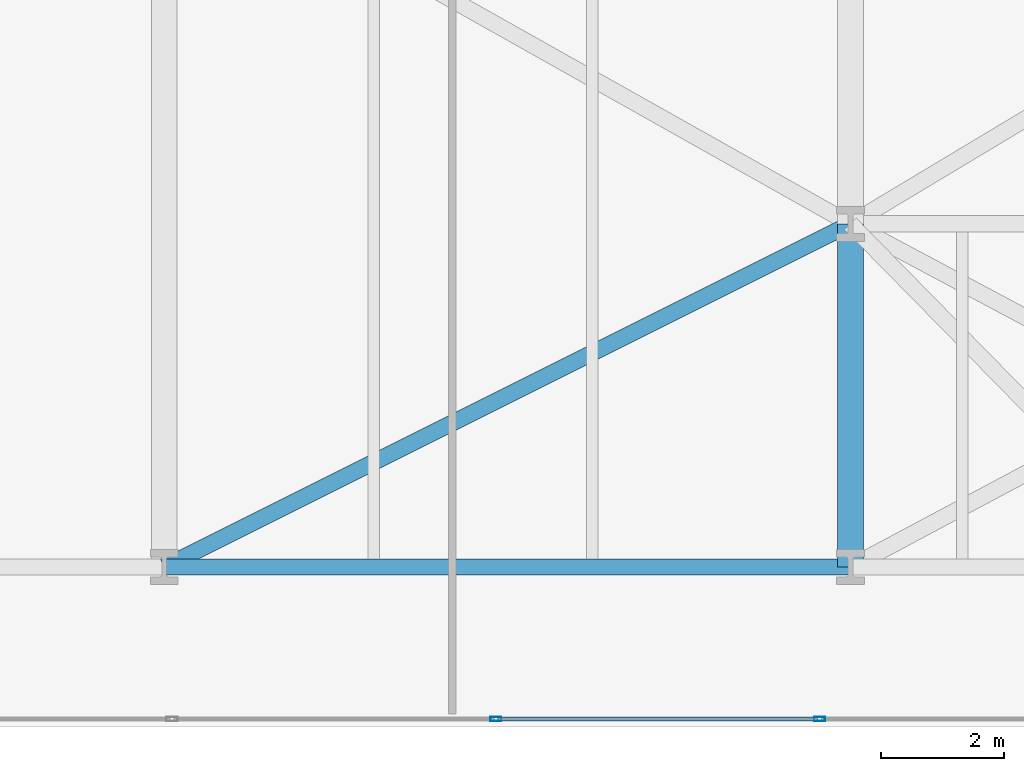
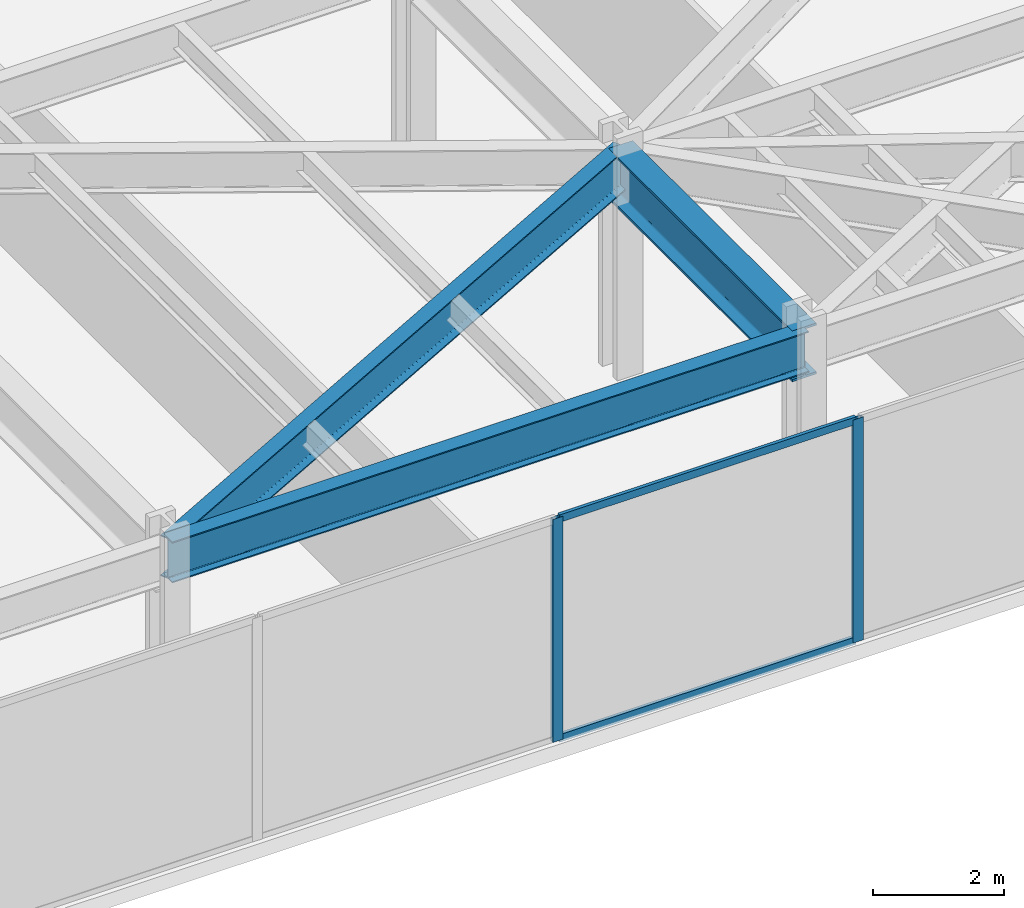
# One storey, part 16 of 30: 4 members, 3 beams, 1 element without a shape of its own.
"""IFC4 building model written with IfcOpenShell, lengths in metres."""

import ifcopenshell
import ifcopenshell.guid

model = None  # the IFC model being written
_history = None  # IfcOwnerHistory: only IFC2X3 demands one
_inside = {}  # id of a spatial element -> (the spatial element, [elements in it])
_under = {}  # id of a project, library or spatial element -> (it, [spatial elements below it])
_declared = {}  # id of a project -> (the project, [libraries it declares])
_typed = {}  # id of a type object -> (the type object, [elements of that type])
_made_of = {}  # id of a material, layer set ... -> (it, [elements and type objects made of it])


def new_model(schema):
    """Start an empty IFC model of exactly this schema.

    Asked for "IFC4X3", IfcOpenShell would pick the latest addendum, in which some entities
    have other attributes; the version numbers below select the first issue.
    IFC2X3 requires an IfcOwnerHistory on every rooted entity: one is made here for all.
    """
    global model, _history
    if schema == "IFC4X3":
        model = ifcopenshell.file(schema_version=(4, 3, 0, 0))
    else:
        model = ifcopenshell.file(schema=schema)
    _inside.clear()
    _under.clear()
    _declared.clear()
    _typed.clear()
    _made_of.clear()
    _history = None
    if model.schema == "IFC2X3":
        org = make("IfcOrganization", Name="unknown")
        user = make(
            "IfcPersonAndOrganization",
            ThePerson=make("IfcPerson", FamilyName="unknown"),
            TheOrganization=org,
        )
        app = make(
            "IfcApplication",
            ApplicationDeveloper=org,
            Version="unknown",
            ApplicationFullName="unknown",
            ApplicationIdentifier="unknown",
        )
        _history = make(
            "IfcOwnerHistory",
            OwningUser=user,
            OwningApplication=app,
            ChangeAction="ADDED",
            CreationDate=0,
        )
    return model


def make(cls, **values):
    """One entity of the class cls with the attributes given. An attribute that is None is left unset."""
    return model.create_entity(
        cls, **{name: value for name, value in values.items() if value is not None}
    )


def rooted(cls, **values):
    """An entity with a GlobalId (a new one), such as an element, a storey or a relation."""
    return make(cls, GlobalId=ifcopenshell.guid.new(), OwnerHistory=_history, **values)


def si_unit(unit_type, name, prefix=None):
    """IfcSIUnit, for example si_unit("LENGTHUNIT", "METRE", prefix="MILLI")."""
    return make("IfcSIUnit", UnitType=unit_type, Prefix=prefix, Name=name)


def assignment(units):
    """IfcUnitAssignment: the units of a project."""
    return None if units is None else make("IfcUnitAssignment", Units=units)


def point(xyz):
    """IfcCartesianPoint."""
    return None if xyz is None else make("IfcCartesianPoint", Coordinates=xyz)


def direction(xyz):
    """IfcDirection."""
    return None if xyz is None else make("IfcDirection", DirectionRatios=xyz)


def frame(location, z_axis=None, x_axis=None):
    """IfcAxis2Placement3D, a coordinate frame: its origin and axes. An axis left out is left unset."""
    return make(
        "IfcAxis2Placement3D",
        Location=point(location),
        Axis=direction(z_axis),
        RefDirection=direction(x_axis),
    )


def frame_2d(location, x_axis=None):
    """IfcAxis2Placement2D, a coordinate frame in the plane: its origin and x axis."""
    return make(
        "IfcAxis2Placement2D", Location=point(location), RefDirection=direction(x_axis)
    )


def origin():
    """The frame at (0, 0, 0) with its axes left unset."""
    return frame((0.0, 0.0, 0.0))


def origin_2d():
    """The frame at (0, 0) in the plane with its x axis left unset."""
    return frame_2d((0.0, 0.0))


def place(relative_to, where):
    """IfcLocalPlacement: puts the frame where relative to a parent placement (None: the world)."""
    return make(
        "IfcLocalPlacement", PlacementRelTo=relative_to, RelativePlacement=where
    )


def context(
    kind, dimensions, precision=None, world=None, true_north=None, identifier=None
):
    """IfcGeometricRepresentationContext, for example the 3D "Model" context."""
    return make(
        "IfcGeometricRepresentationContext",
        ContextIdentifier=identifier,
        ContextType=kind,
        CoordinateSpaceDimension=dimensions,
        Precision=precision,
        WorldCoordinateSystem=world,
        TrueNorth=true_north,
    )


def subcontext(parent, identifier, kind, view, scale=None):
    """IfcGeometricRepresentationSubContext, for example "Body" below "Model"."""
    return make(
        "IfcGeometricRepresentationSubContext",
        ContextIdentifier=identifier,
        ContextType=kind,
        ParentContext=parent,
        TargetScale=scale,
        TargetView=view,
    )


def project(units=None, contexts=None):
    """IfcProject with its units and contexts."""
    return rooted(
        "IfcProject",
        Name="project",
        RepresentationContexts=contexts,
        UnitsInContext=assignment(units),
    )


def spatial(cls, under=None, at=None, **own):
    """A site, building, storey or space (cls), placed at a placement, below another one or the project."""
    s = rooted(cls, ObjectPlacement=at, **own)
    if under is not None:
        _under.setdefault(under.id(), (under, []))[1].append(s)
    return s


def profile(cls, at=None, kind="AREA", **sizes):
    """A parametric profile (cls). Its sizes go by their IFC names, for example OverallWidth=200.0."""
    return make(cls, ProfileType=kind, Position=at, **sizes)


def hollow_rectangle(**sizes):
    """IfcRectangleHollowProfileDef."""
    return profile("IfcRectangleHollowProfileDef", **sizes)


def i_section(**sizes):
    """IfcIShapeProfileDef."""
    return profile("IfcIShapeProfileDef", **sizes)


def extrude(swept, where, along, depth):
    """IfcExtrudedAreaSolid: the profile swept, set in the frame where, extruded along a direction by depth."""
    return make(
        "IfcExtrudedAreaSolid",
        SweptArea=swept,
        Position=where,
        ExtrudedDirection=direction(along),
        Depth=depth,
    )


def shape(context_of_items, identifier, shape_type, items):
    """IfcShapeRepresentation: the items that make up one representation, for example the "Body"."""
    return make(
        "IfcShapeRepresentation",
        ContextOfItems=context_of_items,
        RepresentationIdentifier=identifier,
        RepresentationType=shape_type,
        Items=items,
    )


def material(Name=None, Category=None):
    """IfcMaterial."""
    return make("IfcMaterial", Name=Name, Category=Category)


def layer(
    of_material, thickness, ventilated=None, Name=None, Category=None, Priority=None
):
    """IfcMaterialLayer: one layer of a wall or slab, of a material (None: an air gap)."""
    return make(
        "IfcMaterialLayer",
        Material=of_material,
        LayerThickness=thickness,
        IsVentilated=ventilated,
        Name=Name,
        Category=Category,
        Priority=Priority,
    )


def layer_set(layers, Name=None):
    """IfcMaterialLayerSet."""
    return make("IfcMaterialLayerSet", MaterialLayers=layers, LayerSetName=Name)


def material_profile(
    of_material, cross_section, Name=None, Category=None, Priority=None
):
    """IfcMaterialProfile: a cross section and its material."""
    return make(
        "IfcMaterialProfile",
        Name=Name,
        Material=of_material,
        Profile=cross_section,
        Priority=Priority,
        Category=Category,
    )


def profile_set(profiles, Name=None, composite=None):
    """IfcMaterialProfileSet."""
    return make(
        "IfcMaterialProfileSet",
        Name=Name,
        MaterialProfiles=profiles,
        CompositeProfile=composite,
    )


def made_of(thing, what):
    """Note that an element or type object is made of a material, layer set ...; save() writes the relation."""
    if what is not None:
        _made_of.setdefault(what.id(), (what, []))[1].append(thing)
    return thing


def type_object(cls, material=None, **own):
    """A type object (cls), such as IfcWallType, which elements share."""
    return made_of(rooted(cls, **own), material)


def element(
    cls,
    number,
    at=None,
    inside=None,
    cuts=None,
    type_object=None,
    material=None,
    context=None,
    identifier="Body",
    shape_type=None,
    held_by="IfcProductDefinitionShape",
    body=None,
    shapes=None,
    **own,
):
    """One element of the class cls, such as IfcWall. Its Tag is "e" and its number.

    at: its placement. inside: the storey or other place that contains it. cuts: it is an
    opening in that element (IfcRelVoidsElement). A single representation is given by context,
    identifier, shape_type and body (its items); several are given by shapes. held_by: the class
    of the entity that holds the representations. save() writes the other relations.
    """
    e = rooted(cls, Tag="e%d" % number, ObjectPlacement=at, **own)
    if body is not None:
        shapes = [shape(context, identifier, shape_type, body)]
    if shapes is not None:
        e.Representation = make(held_by, Representations=shapes)
    if inside is not None:
        _inside.setdefault(inside.id(), (inside, []))[1].append(e)
    if cuts is not None:
        rooted(
            "IfcRelVoidsElement", RelatingBuildingElement=cuts, RelatedOpeningElement=e
        )
    if type_object is not None:
        _typed.setdefault(type_object.id(), (type_object, []))[1].append(e)
    return made_of(e, material)


def aggregate(whole, parts):
    """IfcRelAggregates: a whole, such as a stair, and the parts it consists of."""
    return rooted("IfcRelAggregates", RelatingObject=whole, RelatedObjects=parts)


def save(model, path):
    """Write the relations noted so far, then the file.

    IfcRelAggregates (storeys below a building ...), IfcRelContainedInSpatialStructure (elements
    in a storey), IfcRelDefinesByType, IfcRelAssociatesMaterial and IfcRelDeclares: one each for
    every whole, place, type object, material and project.
    """
    for whole, parts in _under.values():
        aggregate(whole, parts)
    for where, things in _inside.values():
        rooted(
            "IfcRelContainedInSpatialStructure",
            RelatedElements=things,
            RelatingStructure=where,
        )
    for kind, things in _typed.values():
        rooted("IfcRelDefinesByType", RelatedObjects=things, RelatingType=kind)
    for what, things in _made_of.values():
        rooted("IfcRelAssociatesMaterial", RelatedObjects=things, RelatingMaterial=what)
    for by, libraries in _declared.values():
        rooted("IfcRelDeclares", RelatingContext=by, RelatedDefinitions=libraries)
    model.write(path)


model = new_model("IFC4")

# Units and contexts
model_context = context("Model", 3, precision=1e-05, world=origin(), true_north=direction((0.0, 1.0)))
body_context = subcontext(model_context, "Body", "Model", "MODEL_VIEW")
ifc_project = project(units=[si_unit("LENGTHUNIT", "METRE"), si_unit("AREAUNIT", "SQUARE_METRE"), si_unit("VOLUMEUNIT", "CUBIC_METRE"), si_unit("PLANEANGLEUNIT", "RADIAN"), si_unit("MASSUNIT", "GRAM", prefix="KILO")], contexts=[model_context])

# Site, building, storey
site_placement = place(None, origin())
site = spatial("IfcSite", under=ifc_project, at=site_placement, CompositionType="ELEMENT")
building_placement = place(site_placement, origin())
building = spatial("IfcBuilding", under=site, at=building_placement, Name="Kravanh Interchange Tower", CompositionType="ELEMENT")
storey_placement = place(building_placement, frame((0.0, 0.0, 19.800048828125)))
storey = spatial("IfcBuildingStorey", under=building, at=storey_placement, Name="L04", CompositionType="ELEMENT", Elevation=19.800048828125)

# Curtain wall, members
ifc_material_1 = material(Name="Anodised Bronze Aluminium", Category="aluminium")
ifc_layer = layer(ifc_material_1, 0.179931640625)
ifc_layer_set = layer_set([ifc_layer], Name="Unitised Curtain Wall System CW-POD Podium Concourse")
curtain_wall_type = type_object("IfcCurtainWallType", Name="Unitised Curtain Wall System CW-POD Podium Concourse", PredefinedType="NOTDEFINED", material=ifc_layer_set)
curtain_wall_placement = place(storey_placement, origin())
curtain_wall = element("IfcCurtainWall", 1, at=curtain_wall_placement, inside=storey, type_object=curtain_wall_type, Name="L04 Unitised Curtain Wall CW-L04-04", PredefinedType="NOTDEFINED")
ifc_material_2 = material(Name="Anodised Bronze Aluminium", Category="aluminium")
ifc_material_profile_1 = material_profile(ifc_material_2, hollow_rectangle(XDim=0.070068359375, YDim=0.179931640625, WallThickness=0.00390625, at=origin_2d()), Name="ALU70X180X4")
ifc_profile_set_1 = profile_set([ifc_material_profile_1], Name="Anodised Bronze Aluminium")
member_type_1 = type_object("IfcMemberType", Name="Curtain Wall Mullion ALU70X180X4 Bronze", PredefinedType="MULLION", material=ifc_profile_set_1)
member_1_placement = place(storey_placement, frame((55.496337890625, 0.1201171875, 0.0), z_axis=(0.0, 0.0, 1.0), x_axis=(0.0, -1.0, 0.0)))
member_1 = element("IfcMember", 2, at=member_1_placement, type_object=member_type_1, Name="CW-POD mullion 4", PredefinedType="MULLION", context=body_context, shape_type="SweptSolid", body=[
    extrude(hollow_rectangle(XDim=0.070068359375, YDim=0.179931640625, WallThickness=0.00390625, at=origin_2d()), origin(), (0.0, 0.0, 1.0), 4.14990234375),
])
member_2_placement = place(storey_placement, frame((50.211669921875, 0.1201171875, 0.0), z_axis=(0.0, 0.0, 1.0), x_axis=(0.0, -1.0, 0.0)))
member_2 = element("IfcMember", 3, at=member_2_placement, type_object=member_type_1, Name="CW-POD mullion 5", PredefinedType="MULLION", context=body_context, shape_type="SweptSolid", body=[
    extrude(hollow_rectangle(XDim=0.070068359375, YDim=0.179931640625, WallThickness=0.00390625, at=origin_2d()), origin(), (0.0, 0.0, 1.0), 4.14990234375),
])
ifc_material_3 = material(Name="Anodised Bronze Aluminium", Category="aluminium")
ifc_material_profile_2 = material_profile(ifc_material_3, hollow_rectangle(XDim=0.06005859375, YDim=0.139892578125, WallThickness=0.00390625, at=origin_2d()), Name="ALU60X140X4")
ifc_profile_set_2 = profile_set([ifc_material_profile_2], Name="Anodised Bronze Aluminium")
member_type_2 = type_object("IfcMemberType", Name="Curtain Wall Transom ALU60X140X4 Bronze", PredefinedType="USERDEFINED", material=ifc_profile_set_2)
member_3_placement = place(storey_placement, frame((55.46142578125, 0.1201171875, 0.030029296875), z_axis=(-1.0, 0.0, 0.0), x_axis=(0.0, -1.0, 0.0)))
member_3 = element("IfcMember", 4, at=member_3_placement, type_object=member_type_2, Name="CW-POD transom 4.1", ObjectType="TRANSOM", PredefinedType="USERDEFINED", context=body_context, shape_type="SweptSolid", body=[
    extrude(hollow_rectangle(XDim=0.06005859375, YDim=0.139892578125, WallThickness=0.00390625, at=origin_2d()), origin(), (0.0, 0.0, 1.0), 5.21484375),
])
member_4_placement = place(storey_placement, frame((55.46142578125, 0.1201171875, 4.119873046875), z_axis=(-1.0, 0.0, 0.0), x_axis=(0.0, -1.0, 0.0)))
member_4 = element("IfcMember", 5, at=member_4_placement, type_object=member_type_2, Name="CW-POD transom 4.2", ObjectType="TRANSOM", PredefinedType="USERDEFINED", context=body_context, shape_type="SweptSolid", body=[
    extrude(hollow_rectangle(XDim=0.06005859375, YDim=0.139892578125, WallThickness=0.00390625, at=origin_2d()), origin(), (0.0, 0.0, 1.0), 5.21484375),
])
aggregate(curtain_wall, [member_1, member_2, member_3, member_4])

# Beams
ifc_material_4 = material(Name="Structural Steel S450", Category="steel")
ifc_material_profile_3 = material_profile(ifc_material_4, i_section(OverallWidth=0.423095703125, OverallDepth=0.947998046875, WebThickness=0.02392578125, FlangeThickness=0.042724609375, FilletRadius=0.028076171875, at=origin_2d()), Name="W36X302")
ifc_profile_set_3 = profile_set([ifc_material_profile_3], Name="Structural Steel S450")
beam_type_1 = type_object("IfcBeamType", Name="Floor Beam W36X302 Structural Steel S450", PredefinedType="BEAM", material=ifc_profile_set_3)
beam_1_placement = place(storey_placement, frame((56.0, 2.60009765625, 3.676025390625), z_axis=(0.0, 1.0, 0.0), x_axis=(-1.0, 0.0, 0.0)))
element("IfcBeam", 6, at=beam_1_placement, inside=storey, type_object=beam_type_1, Name="L04 Primary Floor Girder 14", PredefinedType="BEAM", context=body_context, shape_type="SweptSolid", body=[
    extrude(i_section(OverallWidth=0.423095703125, OverallDepth=0.947998046875, WebThickness=0.02392578125, FlangeThickness=0.042724609375, FilletRadius=0.028076171875, at=origin_2d()), origin(), (0.0, 0.0, 1.0), 5.599853515625),
])
ifc_material_5 = material(Name="Structural Steel S355", Category="steel")
ifc_material_profile_4 = material_profile(ifc_material_5, i_section(OverallWidth=0.26708984375, OverallDepth=0.761962890625, WebThickness=0.014404296875, FlangeThickness=0.021484375, FilletRadius=0.02490234375, at=origin_2d()), Name="W30X116")
ifc_profile_set_4 = profile_set([ifc_material_profile_4], Name="Structural Steel S355")
beam_type_2 = type_object("IfcBeamType", Name="Floor Spandrel W30X116 Structural Steel S355", PredefinedType="SPANDREL", material=ifc_profile_set_4)
beam_2_placement = place(storey_placement, frame((44.800048828125, 2.60009765625, 3.76904296875), z_axis=(1.0, 0.0, 0.0), x_axis=(0.0, 1.0, 0.0)))
element("IfcBeam", 7, at=beam_2_placement, inside=storey, type_object=beam_type_2, Name="L04 Perimeter Spandrel 10", PredefinedType="SPANDREL", context=body_context, shape_type="SweptSolid", body=[
    extrude(i_section(OverallWidth=0.26708984375, OverallDepth=0.761962890625, WebThickness=0.014404296875, FlangeThickness=0.021484375, FilletRadius=0.02490234375, at=origin_2d()), origin(), (0.0, 0.0, 1.0), 11.199951171875),
])
beam_3_placement = place(storey_placement, frame((44.800048828125, 2.60009765625, 3.76904296875), z_axis=(0.894431090393, 0.447205796629, 0.0), x_axis=(-0.447205796629, 0.894431090393, 0.0)))
element("IfcBeam", 8, at=beam_3_placement, inside=storey, type_object=beam_type_2, Name="L04 Perimeter Spandrel 12", PredefinedType="SPANDREL", context=body_context, shape_type="SweptSolid", body=[
    extrude(i_section(OverallWidth=0.26708984375, OverallDepth=0.761962890625, WebThickness=0.014404296875, FlangeThickness=0.021484375, FilletRadius=0.02490234375, at=origin_2d()), origin(), (0.0, 0.0, 1.0), 12.52197265625),
])

save(model, "model.ifc")
